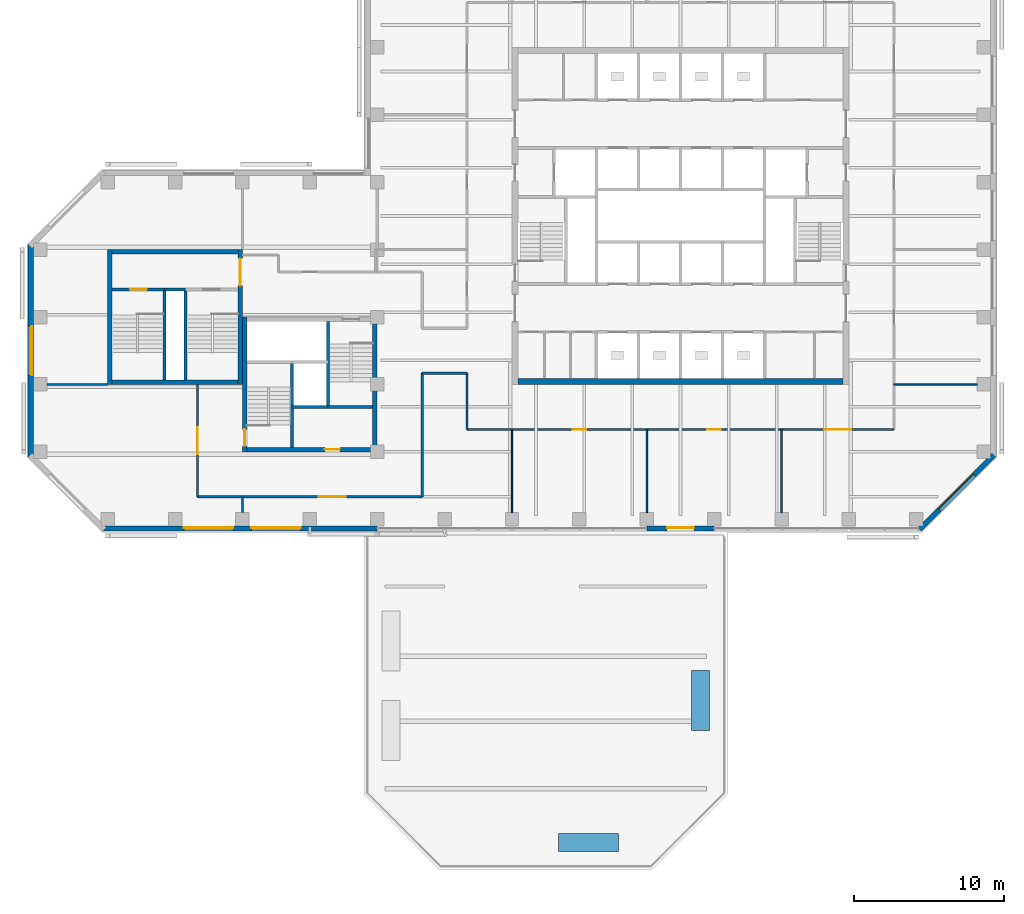
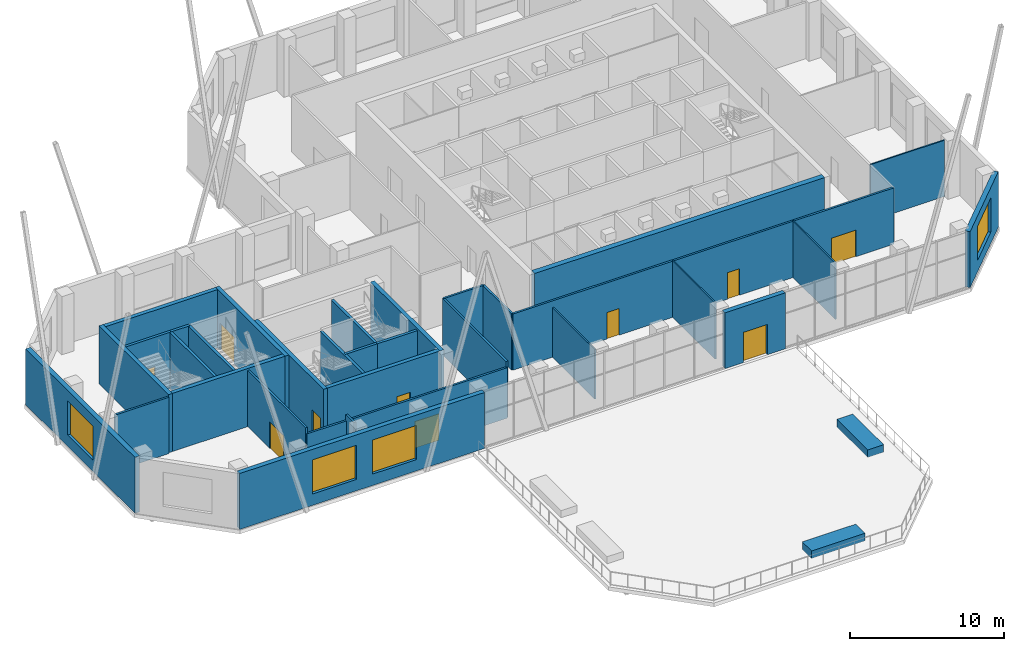
# One storey, part 7 of 14: 34 walls, 10 doors, 4 windows, 14 openings.
"""IFC4 building model written with IfcOpenShell, lengths in metres."""

from ifc_helpers import new_model, si_unit, direction, frame, frame_2d, origin, place, context, subcontext, project, spatial, rectangle, extrude, material, layer, layer_set, constituent, constituent_set, type_object, element, fill, save


model = new_model("IFC4")

# Units and contexts
model_context = context("Model", 3, precision=1e-05, world=origin(), true_north=direction((0.0, 1.0)))
body_context = subcontext(model_context, "Body", "Model", "MODEL_VIEW")
ifc_project = project(units=[si_unit("LENGTHUNIT", "METRE"), si_unit("AREAUNIT", "SQUARE_METRE"), si_unit("VOLUMEUNIT", "CUBIC_METRE"), si_unit("PLANEANGLEUNIT", "RADIAN"), si_unit("MASSUNIT", "GRAM", prefix="KILO")], contexts=[model_context])

# Site, building, storey
site_placement = place(None, origin())
site = spatial("IfcSite", under=ifc_project, at=site_placement, CompositionType="ELEMENT")
building_placement = place(site_placement, origin())
building = spatial("IfcBuilding", under=site, at=building_placement, Name="Quoin Convention Tower", CompositionType="ELEMENT")
storey_placement = place(building_placement, frame((0.0, 0.0, 143.10009765625)))
storey = spatial("IfcBuildingStorey", under=building, at=storey_placement, Name="L37", CompositionType="ELEMENT", Elevation=143.10009765625)

# Wall, opening, door
ifc_material_1 = material(Name="Brick masonry", Category="masonry")
ifc_layer_1 = layer(ifc_material_1, 0.35009765625)
ifc_layer_set_1 = layer_set([ifc_layer_1], Name="Brick masonry")
wall_type_1 = type_object("IfcWallType", Name="Brick facade wall", PredefinedType="STANDARD", material=ifc_layer_set_1)
wall_1_placement = place(storey_placement, frame((54.0, 39.875, 0.0), z_axis=(0.0, 0.0, 1.0), x_axis=(1.0, 0.0, 0.0)))
wall_1 = element("IfcWall", 1, at=wall_1_placement, inside=storey, type_object=wall_type_1, Name="fw-L37-54000_39875", PredefinedType="STANDARD", context=body_context, shape_type="SweptSolid", body=[
    extrude(rectangle(XDim=4.5, YDim=0.35009765625, at=frame_2d((2.25, 0.0))), origin(), (0.0, 0.0, 1.0), 4.4248046875),
])
opening_1_placement = place(wall_1_placement, frame((1.35009765625, 0.0, 0.0)))
opening_1 = element("IfcOpeningElement", 2, at=opening_1_placement, cuts=wall_1, Name="Opening D-T1", PredefinedType="OPENING", context=body_context, shape_type="SweptSolid", body=[
    extrude(rectangle(XDim=1.800048828125, YDim=2.39990234375, at=frame_2d((0.89990234375, 1.199951171875))), frame((0.0, 0.18505859375, 0.0), z_axis=(0.0, -1.0, 0.0), x_axis=(1.0, 0.0, 0.0)), (0.0, 0.0, 1.0), 0.3701171875),
])
ifc_material_2 = material(Name="Aluminium", Category="aluminium")
ifc_constituent_1 = constituent(ifc_material_2, Name="Frame")
ifc_material_3 = material(Name="Insulated glass", Category="glass")
ifc_constituent_2 = constituent(ifc_material_3, Name="Glazing")
ifc_constituent_set_1 = constituent_set(constituents=[ifc_constituent_1, ifc_constituent_2], Name="Aluminium")
door_type_1 = type_object("IfcDoorType", Name="Glazed terrace door", OperationType="DOUBLE_DOOR_SINGLE_SWING", PredefinedType="DOOR", material=ifc_constituent_set_1)
door_1_placement = place(opening_1_placement, origin())
door_1 = element("IfcDoor", 3, at=door_1_placement, inside=storey, type_object=door_type_1, Name="dr-L37-54000_39875", OperationType="DOUBLE_DOOR_SINGLE_SWING", OverallHeight=2.39990234375, OverallWidth=1.800048828125, PredefinedType="DOOR", context=body_context, shape_type="SweptSolid", body=[
    extrude(rectangle(XDim=1.800048828125, YDim=2.39990234375, at=frame_2d((0.89990234375, 1.199951171875))), frame((0.0, 0.080078125, 0.0), z_axis=(0.0, -1.0, 0.0), x_axis=(1.0, 0.0, 0.0)), (0.0, 0.0, 1.0), 0.050048828125),
])
fill(opening_1, door_1)

# Wall, opening, window
wall_2_placement = place(storey_placement, frame((72.20751953125, 39.82373046875, 0.0), z_axis=(0.0, 0.0, 1.0), x_axis=(0.707106781187, 0.707106781187, 0.0)))
wall_2 = element("IfcWall", 4, at=wall_2_placement, inside=storey, type_object=wall_type_1, Name="fw-L37-72000_40500", PredefinedType="STANDARD", context=body_context, shape_type="SweptSolid", body=[
    extrude(rectangle(XDim=7.02685546875, YDim=0.35009765625, at=frame_2d((3.513427734375, 0.0))), origin(), (0.0, 0.0, 1.0), 4.4248046875),
])
opening_2_placement = place(wall_2_placement, frame((1.86328125, 0.0, 0.89990234375)))
opening_2 = element("IfcOpeningElement", 5, at=opening_2_placement, cuts=wall_2, Name="Opening W-03", PredefinedType="OPENING", context=body_context, shape_type="SweptSolid", body=[
    extrude(rectangle(XDim=3.300048828125, YDim=2.699951171875, at=frame_2d((1.64990234375, 1.35009765625))), frame((0.0, 0.18505859375, 0.0), z_axis=(0.0, -1.0, 0.0), x_axis=(1.0, 0.0, 0.0)), (0.0, 0.0, 1.0), 0.3701171875),
])
ifc_constituent_3 = constituent(ifc_material_2, Name="Frame")
ifc_constituent_4 = constituent(ifc_material_3, Name="Glazing")
ifc_constituent_set_2 = constituent_set(constituents=[ifc_constituent_3, ifc_constituent_4], Name="Aluminium")
window_type = type_object("IfcWindowType", Name="Sky lobby window", PartitioningType="DOUBLE_PANEL_VERTICAL", PredefinedType="WINDOW", material=ifc_constituent_set_2)
window_1_placement = place(opening_2_placement, origin())
window_1 = element("IfcWindow", 6, at=window_1_placement, inside=storey, type_object=window_type, Name="win-L37-74692_42308", OverallHeight=2.699951171875, OverallWidth=3.300048828125, PartitioningType="SINGLE_PANEL", PredefinedType="WINDOW", context=body_context, shape_type="SweptSolid", body=[
    extrude(rectangle(XDim=3.300048828125, YDim=2.699951171875, at=frame_2d((1.64990234375, 1.35009765625))), frame((0.0, 0.0849609375, 0.0), z_axis=(0.0, -1.0, 0.0), x_axis=(1.0, 0.0, 0.0)), (0.0, 0.0, 1.0), 0.06005859375),
])
fill(opening_2, window_1)

wall_3_placement = place(storey_placement, frame((12.875, 58.831298828125, 0.0), z_axis=(0.0, 0.0, 1.0), x_axis=(0.0, -1.0, 0.0)))
wall_3 = element("IfcWall", 7, at=wall_3_placement, inside=storey, type_object=wall_type_1, Name="fw-L37-13500_58500", PredefinedType="STANDARD", context=body_context, shape_type="SweptSolid", body=[
    extrude(rectangle(XDim=14.16259765625, YDim=0.35009765625, at=frame_2d((7.081298828125, 0.0))), origin(), (0.0, 0.0, 1.0), 4.4248046875),
])
opening_3_placement = place(wall_3_placement, frame((5.431396484375, 0.0, 0.89990234375)))
opening_3 = element("IfcOpeningElement", 8, at=opening_3_placement, cuts=wall_3, Name="Opening W-03", PredefinedType="OPENING", context=body_context, shape_type="SweptSolid", body=[
    extrude(rectangle(XDim=3.300048828125, YDim=2.699951171875, at=frame_2d((1.64990234375, 1.35009765625))), frame((0.0, 0.18505859375, 0.0), z_axis=(0.0, -1.0, 0.0), x_axis=(1.0, 0.0, 0.0)), (0.0, 0.0, 1.0), 0.3701171875),
])
window_2_placement = place(opening_3_placement, origin())
window_2 = element("IfcWindow", 9, at=window_2_placement, inside=storey, type_object=window_type, Name="win-L37-12875_51750", OverallHeight=2.699951171875, OverallWidth=3.300048828125, PartitioningType="SINGLE_PANEL", PredefinedType="WINDOW", context=body_context, shape_type="SweptSolid", body=[
    extrude(rectangle(XDim=3.300048828125, YDim=2.699951171875, at=frame_2d((1.64990234375, 1.35009765625))), frame((0.0, 0.0849609375, 0.0), z_axis=(0.0, -1.0, 0.0), x_axis=(1.0, 0.0, 0.0)), (0.0, 0.0, 1.0), 0.06005859375),
])
fill(opening_3, window_2)

# Wall, openings, windows
wall_4_placement = place(storey_placement, frame((17.668701171875, 39.875, 0.0), z_axis=(0.0, 0.0, 1.0), x_axis=(1.0, 0.0, 0.0)))
wall_4 = element("IfcWall", 10, at=wall_4_placement, inside=storey, type_object=wall_type_1, Name="fw-L37-18000_40500", PredefinedType="STANDARD", context=body_context, shape_type="SweptSolid", body=[
    extrude(rectangle(XDim=18.331298828125, YDim=0.35009765625, at=frame_2d((9.16552734375, 0.0))), origin(), (0.0, 0.0, 1.0), 4.4248046875),
])
opening_4_placement = place(wall_4_placement, frame((5.431396484375, 0.0, 0.89990234375)))
opening_4 = element("IfcOpeningElement", 11, at=opening_4_placement, cuts=wall_4, Name="Opening W-03", PredefinedType="OPENING", context=body_context, shape_type="SweptSolid", body=[
    extrude(rectangle(XDim=3.300048828125, YDim=2.699951171875, at=frame_2d((1.64990234375, 1.35009765625))), frame((0.0, 0.18505859375, 0.0), z_axis=(0.0, -1.0, 0.0), x_axis=(1.0, 0.0, 0.0)), (0.0, 0.0, 1.0), 0.3701171875),
])
opening_5_placement = place(wall_4_placement, frame((9.931396484375, 0.0, 0.89990234375)))
opening_5 = element("IfcOpeningElement", 12, at=opening_5_placement, cuts=wall_4, Name="Opening W-03", PredefinedType="OPENING", context=body_context, shape_type="SweptSolid", body=[
    extrude(rectangle(XDim=3.300048828125, YDim=2.699951171875, at=frame_2d((1.64990234375, 1.35009765625))), frame((0.0, 0.18505859375, 0.0), z_axis=(0.0, -1.0, 0.0), x_axis=(1.0, 0.0, 0.0)), (0.0, 0.0, 1.0), 0.3701171875),
])
window_3_placement = place(opening_4_placement, origin())
window_3 = element("IfcWindow", 13, at=window_3_placement, inside=storey, type_object=window_type, Name="win-L37-24750_39875", OverallHeight=2.699951171875, OverallWidth=3.300048828125, PartitioningType="SINGLE_PANEL", PredefinedType="WINDOW", context=body_context, shape_type="SweptSolid", body=[
    extrude(rectangle(XDim=3.300048828125, YDim=2.699951171875, at=frame_2d((1.64990234375, 1.35009765625))), frame((0.0, 0.0849609375, 0.0), z_axis=(0.0, -1.0, 0.0), x_axis=(1.0, 0.0, 0.0)), (0.0, 0.0, 1.0), 0.06005859375),
])
fill(opening_4, window_3)
window_4_placement = place(opening_5_placement, origin())
window_4 = element("IfcWindow", 14, at=window_4_placement, inside=storey, type_object=window_type, Name="win-L37-29250_39875", OverallHeight=2.699951171875, OverallWidth=3.300048828125, PartitioningType="SINGLE_PANEL", PredefinedType="WINDOW", context=body_context, shape_type="SweptSolid", body=[
    extrude(rectangle(XDim=3.300048828125, YDim=2.699951171875, at=frame_2d((1.64990234375, 1.35009765625))), frame((0.0, 0.0849609375, 0.0), z_axis=(0.0, -1.0, 0.0), x_axis=(1.0, 0.0, 0.0)), (0.0, 0.0, 1.0), 0.06005859375),
])
fill(opening_5, window_4)

# Walls
ifc_material_4 = material(Name="Concrete C50", Category="concrete")
ifc_layer_2 = layer(ifc_material_4, 0.199951171875)
ifc_layer_set_2 = layer_set([ifc_layer_2], Name="Concrete C50")
wall_type_2 = type_object("IfcWallType", Name="Core shaft wall", PredefinedType="SOLIDWALL", material=ifc_layer_set_2)
wall_5_placement = place(storey_placement, frame((30.300048828125, 48.0, 0.0), z_axis=(0.0, 0.0, 1.0), x_axis=(1.0, 0.0, 0.0)))
element("IfcWall", 15, at=wall_5_placement, inside=storey, type_object=wall_type_2, Name="cr-P2-L37-h3000_3300", PredefinedType="SOLIDWALL", context=body_context, shape_type="SweptSolid", body=[
    extrude(rectangle(XDim=2.39990234375, YDim=0.199951171875, at=frame_2d((1.199951171875, 0.0))), origin(), (0.0, 0.0, 1.0), 4.449951171875),
])
wall_6_placement = place(storey_placement, frame((32.699951171875, 48.0, 0.0), z_axis=(0.0, 0.0, 1.0), x_axis=(1.0, 0.0, 0.0)))
element("IfcWall", 16, at=wall_6_placement, inside=storey, type_object=wall_type_2, Name="cr-P2-L37-h3000_5700", PredefinedType="SOLIDWALL", context=body_context, shape_type="SweptSolid", body=[
    extrude(rectangle(XDim=3.0, YDim=0.199951171875, at=frame_2d((1.5, 0.0))), origin(), (0.0, 0.0, 1.0), 4.449951171875),
])
for number, where, z_axis, x_axis, name in (
    (17, (30.300048828125, 45.300048828125, 0.0), (0.0, 0.0, 1.0), (0.0, 1.0, 0.0), "cr-P2-L37-v3300_300"),
    (18, (32.699951171875, 48.0, 0.0), (0.0, 0.0, 1.0), (0.0, 1.0, 0.0), "cr-P2-L37-v5700_3000"),
):
    element("IfcWall", number, at=place(storey_placement, frame(where, z_axis=z_axis, x_axis=x_axis)), inside=storey, type_object=wall_type_2, Name=name, PredefinedType="SOLIDWALL", context=body_context, shape_type="SweptSolid", body=[
        extrude(rectangle(XDim=5.699951171875, YDim=0.199951171875, at=frame_2d((2.85009765625, 0.0))), origin(), (0.0, 0.0, 1.0), 4.449951171875),
    ])
wall_7_placement = place(storey_placement, frame((21.800048828125, 55.85009765625, 0.0), z_axis=(0.0, 0.0, 1.0), x_axis=(1.0, 0.0, 0.0)))
element("IfcWall", 19, at=wall_7_placement, inside=storey, type_object=wall_type_2, Name="cr-P6-L37-h6350_3800", PredefinedType="SOLIDWALL", context=body_context, shape_type="SweptSolid", body=[
    extrude(rectangle(XDim=1.39990234375, YDim=0.199951171875, at=frame_2d((0.699951171875, 0.0))), origin(), (0.0, 0.0, 1.0), 4.449951171875),
])

# Wall, opening, door
wall_8_placement = place(storey_placement, frame((18.300048828125, 55.85009765625, 0.0), z_axis=(0.0, 0.0, 1.0), x_axis=(1.0, 0.0, 0.0)))
wall_8 = element("IfcWall", 20, at=wall_8_placement, inside=storey, type_object=wall_type_2, Name="cr-P6-L37-h6350_300", PredefinedType="SOLIDWALL", context=body_context, shape_type="SweptSolid", body=[
    extrude(rectangle(XDim=3.5, YDim=0.199951171875, at=frame_2d((1.75, 0.0))), origin(), (0.0, 0.0, 1.0), 4.449951171875),
])
opening_6_placement = place(wall_8_placement, frame((1.199951171875, 0.0, 0.0)))
opening_6 = element("IfcOpeningElement", 21, at=opening_6_placement, cuts=wall_8, Name="Opening SD11", PredefinedType="OPENING", context=body_context, shape_type="SweptSolid", body=[
    extrude(rectangle(XDim=1.10009765625, YDim=2.10009765625, at=frame_2d((0.550048828125, 1.050048828125))), frame((0.0, 0.10986328125, 0.0), z_axis=(0.0, -1.0, 0.0), x_axis=(1.0, 0.0, 0.0)), (0.0, 0.0, 1.0), 0.219970703125),
])
ifc_material_5 = material(Name="Steel door leaf", Category="steel")
door_type_2 = type_object("IfcDoorType", Name="Stair door 1100 x 2100", OperationType="SINGLE_SWING_RIGHT", PredefinedType="DOOR", material=ifc_material_5)
door_2_placement = place(opening_6_placement, origin())
door_2 = element("IfcDoor", 22, at=door_2_placement, inside=storey, type_object=door_type_2, Name="cd-P6-L37-SA-R2-SD11", OperationType="SINGLE_SWING_RIGHT", OverallHeight=2.10009765625, OverallWidth=1.10009765625, PredefinedType="DOOR", context=body_context, shape_type="SweptSolid", body=[
    extrude(rectangle(XDim=1.10009765625, YDim=2.10009765625, at=frame_2d((0.550048828125, 1.050048828125))), frame((0.0, 0.02490234375, 0.0), z_axis=(0.0, -1.0, 0.0), x_axis=(1.0, 0.0, 0.0)), (0.0, 0.0, 1.0), 0.050048828125),
])
fill(opening_6, door_2)

# Walls
for number, where, z_axis, x_axis, name in (
    (23, (21.800048828125, 49.800048828125, 0.0), (0.0, 0.0, 1.0), (0.0, 1.0, 0.0), "cr-P6-L37-v3800_300"),
    (24, (23.199951171875, 49.800048828125, 0.0), (0.0, 0.0, 1.0), (0.0, 1.0, 0.0), "cr-P6-L37-v5200_300"),
):
    element("IfcWall", number, at=place(storey_placement, frame(where, z_axis=z_axis, x_axis=x_axis)), inside=storey, type_object=wall_type_2, Name=name, PredefinedType="SOLIDWALL", context=body_context, shape_type="SweptSolid", body=[
        extrude(rectangle(XDim=6.050048828125, YDim=0.199951171875, at=frame_2d((3.02490234375, 0.0))), origin(), (0.0, 0.0, 1.0), 4.449951171875),
    ])
ifc_material_6 = material(Name="Concrete C40", Category="concrete")
ifc_layer_3 = layer(ifc_material_6, 1.199951171875)
ifc_layer_set_3 = layer_set([ifc_layer_3], Name="Concrete C40")
wall_type_3 = type_object("IfcWallType", Name="Planter bed", PredefinedType="STANDARD", material=ifc_layer_set_3)
for number, where, z_axis, x_axis, name in (
    (25, (57.574951171875, 30.389892578125, 0.0), (0.0, 0.0, 1.0), (0.0, -1.0, 0.0), "PLANTER L37 01"),
    (26, (52.116943359375, 18.925048828125, 0.0), (0.0, 0.0, 1.0), (-1.0, 0.0, 0.0), "PLANTER L37 02"),
):
    element("IfcWall", number, at=place(storey_placement, frame(where, z_axis=z_axis, x_axis=x_axis)), inside=storey, type_object=wall_type_3, Name=name, PredefinedType="STANDARD", context=body_context, shape_type="SweptSolid", body=[
        extrude(rectangle(XDim=4.0, YDim=1.199951171875, at=frame_2d((2.0, 0.0))), origin(), (0.0, 0.0, 1.0), 0.599853515625),
    ])

# Wall, opening, door
ifc_layer_4 = layer(ifc_material_4, 0.300048828125)
ifc_layer_set_4 = layer_set([ifc_layer_4], Name="Concrete C50")
wall_type_4 = type_object("IfcWallType", Name="RC CORE WALL 300 C50", PredefinedType="SHEAR", material=ifc_layer_set_4)
wall_9_placement = place(storey_placement, frame((27.300048828125, 45.14990234375, 0.0), z_axis=(0.0, 0.0, 1.0), x_axis=(1.0, 0.0, 0.0)))
wall_9 = element("IfcWall", 27, at=wall_9_placement, inside=storey, type_object=wall_type_4, Name="cwl-P2-L37-S", PredefinedType="SHEAR", context=body_context, shape_type="SweptSolid", body=[
    extrude(rectangle(XDim=8.39990234375, YDim=0.300048828125, at=frame_2d((4.199951171875, 0.0))), origin(), (0.0, 0.0, 1.0), 4.599853515625),
])
opening_7_placement = place(wall_9_placement, frame((5.199951171875, 0.0, 0.0)))
opening_7 = element("IfcOpeningElement", 28, at=opening_7_placement, cuts=wall_9, Name="Opening DCV1-50", PredefinedType="OPENING", context=body_context, shape_type="SweptSolid", body=[
    extrude(rectangle(XDim=1.0, YDim=2.10009765625, at=frame_2d((0.5, 1.050048828125))), frame((0.0, 0.159912109375, 0.0), z_axis=(0.0, -1.0, 0.0), x_axis=(1.0, 0.0, 0.0)), (0.0, 0.0, 1.0), 0.320068359375),
])
door_type_3 = type_object("IfcDoorType", Name="Service door 1000 x 2100", OperationType="SINGLE_SWING_LEFT", PredefinedType="DOOR", material=ifc_material_5)
door_3_placement = place(opening_7_placement, origin())
door_3 = element("IfcDoor", 29, at=door_3_placement, inside=storey, type_object=door_type_3, Name="cd-P2-L37-R2-S", OperationType="SINGLE_SWING_LEFT", OverallHeight=2.10009765625, OverallWidth=1.0, PredefinedType="DOOR", context=body_context, shape_type="SweptSolid", body=[
    extrude(rectangle(XDim=1.0, YDim=2.10009765625, at=frame_2d((0.5, 1.050048828125))), frame((0.0, 0.02490234375, 0.0), z_axis=(0.0, -1.0, 0.0), x_axis=(1.0, 0.0, 0.0)), (0.0, 0.0, 1.0), 0.050048828125),
])
fill(opening_7, door_3)

wall_10_placement = place(storey_placement, frame((27.14990234375, 45.0, 0.0), z_axis=(0.0, 0.0, 1.0), x_axis=(0.0, 1.0, 0.0)))
wall_10 = element("IfcWall", 30, at=wall_10_placement, inside=storey, type_object=wall_type_4, Name="cwl-P2-L37-W", PredefinedType="SHEAR", context=body_context, shape_type="SweptSolid", body=[
    extrude(rectangle(XDim=9.0, YDim=0.300048828125, at=frame_2d((4.5, 0.0))), origin(), (0.0, 0.0, 1.0), 4.599853515625),
])
opening_8_placement = place(wall_10_placement, frame((0.39990234375, 0.0, 0.0)))
opening_8 = element("IfcOpeningElement", 31, at=opening_8_placement, cuts=wall_10, Name="Opening SD3", PredefinedType="OPENING", context=body_context, shape_type="SweptSolid", body=[
    extrude(rectangle(XDim=1.10009765625, YDim=2.10009765625, at=frame_2d((0.550048828125, 1.050048828125))), frame((0.0, 0.159912109375, 0.0), z_axis=(0.0, -1.0, 0.0), x_axis=(1.0, 0.0, 0.0)), (0.0, 0.0, 1.0), 0.320068359375),
])
door_4_placement = place(opening_8_placement, frame((1.10009765625, 0.0, 0.0), z_axis=(0.0, 0.0, 1.0), x_axis=(-1.0, 0.0, 0.0)))
door_4 = element("IfcDoor", 32, at=door_4_placement, inside=storey, type_object=door_type_2, Name="cd-P2-L37-SA-W", OperationType="SINGLE_SWING_RIGHT", OverallHeight=2.10009765625, OverallWidth=1.10009765625, PredefinedType="DOOR", context=body_context, shape_type="SweptSolid", body=[
    extrude(rectangle(XDim=1.10009765625, YDim=2.10009765625, at=frame_2d((0.550048828125, 1.050048828125))), frame((0.0, 0.02490234375, 0.0), z_axis=(0.0, -1.0, 0.0), x_axis=(1.0, 0.0, 0.0)), (0.0, 0.0, 1.0), 0.050048828125),
])
fill(opening_8, door_4)

# Walls
wall_11_placement = place(storey_placement, frame((35.85009765625, 45.0, 0.0), z_axis=(0.0, 0.0, 1.0), x_axis=(0.0, 1.0, 0.0)))
element("IfcWall", 33, at=wall_11_placement, inside=storey, type_object=wall_type_4, Name="cwl-P2-L37-E", PredefinedType="SHEAR", context=body_context, shape_type="SweptSolid", body=[
    extrude(rectangle(XDim=9.0, YDim=0.300048828125, at=frame_2d((4.5, 0.0))), origin(), (0.0, 0.0, 1.0), 4.599853515625),
])
for number, where, z_axis, x_axis, name in (
    (34, (18.300048828125, 49.64990234375, 0.0), (0.0, 0.0, 1.0), (1.0, 0.0, 0.0), "cwl-P6-L37-S"),
    (35, (18.300048828125, 58.35009765625, 0.0), (0.0, 0.0, 1.0), (1.0, 0.0, 0.0), "cwl-P6-L37-N"),
):
    element("IfcWall", number, at=place(storey_placement, frame(where, z_axis=z_axis, x_axis=x_axis)), inside=storey, type_object=wall_type_4, Name=name, PredefinedType="SHEAR", context=body_context, shape_type="SweptSolid", body=[
        extrude(rectangle(XDim=8.39990234375, YDim=0.300048828125, at=frame_2d((4.199951171875, 0.0))), origin(), (0.0, 0.0, 1.0), 4.599853515625),
    ])
wall_12_placement = place(storey_placement, frame((18.14990234375, 49.5, 0.0), z_axis=(0.0, 0.0, 1.0), x_axis=(0.0, 1.0, 0.0)))
element("IfcWall", 36, at=wall_12_placement, inside=storey, type_object=wall_type_4, Name="cwl-P6-L37-W", PredefinedType="SHEAR", context=body_context, shape_type="SweptSolid", body=[
    extrude(rectangle(XDim=9.0, YDim=0.300048828125, at=frame_2d((4.5, 0.0))), origin(), (0.0, 0.0, 1.0), 4.599853515625),
])

# Wall, opening, door
wall_13_placement = place(storey_placement, frame((26.85009765625, 49.5, 0.0), z_axis=(0.0, 0.0, 1.0), x_axis=(0.0, 1.0, 0.0)))
wall_13 = element("IfcWall", 37, at=wall_13_placement, inside=storey, type_object=wall_type_4, Name="cwl-P6-L37-E", PredefinedType="SHEAR", context=body_context, shape_type="SweptSolid", body=[
    extrude(rectangle(XDim=9.0, YDim=0.300048828125, at=frame_2d((4.5, 0.0))), origin(), (0.0, 0.0, 1.0), 4.599853515625),
])
opening_9_placement = place(wall_13_placement, frame((6.60009765625, 0.0, 0.0)))
opening_9 = element("IfcOpeningElement", 38, at=opening_9_placement, cuts=wall_13, Name="Opening DCV1-54", PredefinedType="OPENING", context=body_context, shape_type="SweptSolid", body=[
    extrude(rectangle(XDim=1.800048828125, YDim=2.10009765625, at=frame_2d((0.89990234375, 1.050048828125))), frame((0.0, 0.159912109375, 0.0), z_axis=(0.0, -1.0, 0.0), x_axis=(1.0, 0.0, 0.0)), (0.0, 0.0, 1.0), 0.320068359375),
])
door_type_4 = type_object("IfcDoorType", Name="Goods lobby door 1800 x 2100", OperationType="SINGLE_SWING_LEFT", PredefinedType="DOOR", material=ifc_material_5)
door_5_placement = place(opening_9_placement, origin())
door_5 = element("IfcDoor", 39, at=door_5_placement, inside=storey, type_object=door_type_4, Name="cd-P6-L37-R2-E", OperationType="SINGLE_SWING_LEFT", OverallHeight=2.10009765625, OverallWidth=1.800048828125, PredefinedType="DOOR", context=body_context, shape_type="SweptSolid", body=[
    extrude(rectangle(XDim=1.800048828125, YDim=2.10009765625, at=frame_2d((0.89990234375, 1.050048828125))), frame((0.0, 0.02490234375, 0.0), z_axis=(0.0, -1.0, 0.0), x_axis=(1.0, 0.0, 0.0)), (0.0, 0.0, 1.0), 0.050048828125),
])
fill(opening_9, door_5)

# Walls
ifc_layer_5 = layer(ifc_material_4, 0.39990234375)
ifc_layer_set_5 = layer_set([ifc_layer_5], Name="Concrete C50")
wall_type_5 = type_object("IfcWallType", Name="RC CORE WALL 400 C50", PredefinedType="SHEAR", material=ifc_layer_set_5)
wall_14_placement = place(storey_placement, frame((45.39990234375, 49.699951171875, 0.0), z_axis=(0.0, 0.0, 1.0), x_axis=(1.0, 0.0, 0.0)))
element("IfcWall", 40, at=wall_14_placement, inside=storey, type_object=wall_type_5, Name="cwl-C1-L37-S", PredefinedType="SHEAR", context=body_context, shape_type="SweptSolid", body=[
    extrude(rectangle(XDim=21.7001953125, YDim=0.39990234375, at=frame_2d((10.85009765625, 0.0))), origin(), (0.0, 0.0, 1.0), 4.599853515625),
])
ifc_material_7 = material(Name="Plasterboard")
ifc_layer_6 = layer(ifc_material_7, 0.012451171875, Name="Finish")
ifc_material_8 = material(Name="Steel stud framing", Category="steel")
ifc_layer_7 = layer(ifc_material_8, 0.074951171875, Name="Structure")
ifc_layer_8 = layer(ifc_material_7, 0.012451171875, Name="Finish")
ifc_layer_set_6 = layer_set([ifc_layer_6, ifc_layer_7, ifc_layer_8], Name="Steel stud framing")
wall_type_6 = type_object("IfcWallType", Name="bathroom partition", PredefinedType="PARTITIONING", material=ifc_layer_set_6)
for number, where, z_axis, x_axis, name in (
    (41, (54.0, 40.949951171875, 0.0), (0.0, 0.0, 1.0), (0.0, 1.0, 0.0), "pw-L37-002"),
    (42, (63.0, 40.949951171875, 0.0), (0.0, 0.0, 1.0), (0.0, 1.0, 0.0), "pw-L37-003"),
    (43, (70.5, 49.5, 0.0), (0.0, 0.0, 1.0), (1.0, 0.0, 0.0), "pw-L37-004"),
):
    element("IfcWall", number, at=place(storey_placement, frame(where, z_axis=z_axis, x_axis=x_axis)), inside=storey, type_object=wall_type_6, Name=name, PredefinedType="PARTITIONING", context=body_context, shape_type="SweptSolid", body=[
        extrude(rectangle(XDim=5.550048828125, YDim=0.10009765625, at=frame_2d((2.77490234375, 0.0))), origin(), (0.0, 0.0, 1.0), 4.449951171875),
    ])
ifc_layer_9 = layer(ifc_material_7, 0.012451171875, Name="Finish")
ifc_layer_10 = layer(ifc_material_8, 0.074951171875, Name="Structure")
ifc_layer_11 = layer(ifc_material_7, 0.012451171875, Name="Finish")
ifc_layer_set_7 = layer_set([ifc_layer_9, ifc_layer_10, ifc_layer_11], Name="Steel stud framing")
wall_type_7 = type_object("IfcWallType", Name="bathroom partition under beam 528", PredefinedType="PARTITIONING", material=ifc_layer_set_7)
wall_15_placement = place(storey_placement, frame((45.0, 40.949951171875, 0.0), z_axis=(0.0, 0.0, 1.0), x_axis=(0.0, 1.0, 0.0)))
element("IfcWall", 44, at=wall_15_placement, inside=storey, type_object=wall_type_7, Name="pw-L37-001", PredefinedType="PARTITIONING", context=body_context, shape_type="SweptSolid", body=[
    extrude(rectangle(XDim=5.550048828125, YDim=0.10009765625, at=frame_2d((2.77490234375, 0.0))), origin(), (0.0, 0.0, 1.0), 3.921875),
])

# Wall, opening, door
ifc_layer_12 = layer(ifc_material_7, 0.012451171875, Name="Finish")
ifc_layer_13 = layer(ifc_material_8, 0.125, Name="Structure")
ifc_layer_14 = layer(ifc_material_7, 0.012451171875, Name="Finish")
ifc_layer_set_8 = layer_set([ifc_layer_12, ifc_layer_13, ifc_layer_14], Name="Steel stud framing")
wall_type_8 = type_object("IfcWallType", Name="corridor partition", PredefinedType="PARTITIONING", material=ifc_layer_set_8)
wall_16_placement = place(storey_placement, frame((24.0, 42.0, 0.0), z_axis=(0.0, 0.0, 1.0), x_axis=(0.0, 1.0, 0.0)))
wall_16 = element("IfcWall", 45, at=wall_16_placement, inside=storey, type_object=wall_type_8, Name="pw-L37-009", PredefinedType="PARTITIONING", context=body_context, shape_type="SweptSolid", body=[
    extrude(rectangle(XDim=7.5, YDim=0.14990234375, at=frame_2d((3.75, 0.0))), origin(), (0.0, 0.0, 1.0), 4.449951171875),
])
opening_10_placement = place(wall_16_placement, frame((2.85009765625, 0.0, 0.0)))
opening_10 = element("IfcOpeningElement", 46, at=opening_10_placement, cuts=wall_16, Name="Opening DSKY-37-02", PredefinedType="OPENING", context=body_context, shape_type="SweptSolid", body=[
    extrude(rectangle(XDim=1.800048828125, YDim=2.10009765625, at=frame_2d((0.89990234375, 1.050048828125))), frame((0.0, 0.0849609375, 0.0), z_axis=(0.0, -1.0, 0.0), x_axis=(1.0, 0.0, 0.0)), (0.0, 0.0, 1.0), 0.169921875),
])
door_type_5 = type_object("IfcDoorType", Name="Double meeting room door", OperationType="DOUBLE_DOOR_SINGLE_SWING", PredefinedType="DOOR", material=ifc_material_5)
door_6_placement = place(opening_10_placement, frame((1.800048828125, 0.0, 0.0), z_axis=(0.0, 0.0, 1.0), x_axis=(-1.0, 0.0, 0.0)))
door_6 = element("IfcDoor", 47, at=door_6_placement, inside=storey, type_object=door_type_5, Name="dr-L37-005", OperationType="DOUBLE_DOOR_SINGLE_SWING", OverallHeight=2.10009765625, OverallWidth=1.800048828125, PredefinedType="DOOR", context=body_context, shape_type="SweptSolid", body=[
    extrude(rectangle(XDim=1.800048828125, YDim=2.10009765625, at=frame_2d((0.89990234375, 1.050048828125))), frame((0.0, 0.02490234375, 0.0), z_axis=(0.0, -1.0, 0.0), x_axis=(1.0, 0.0, 0.0)), (0.0, 0.0, 1.0), 0.050048828125),
])
fill(opening_10, door_6)

# Wall
wall_17_placement = place(storey_placement, frame((39.0, 42.0, 0.0), z_axis=(0.0, 0.0, 1.0), x_axis=(0.0, 1.0, 0.0)))
element("IfcWall", 48, at=wall_17_placement, inside=storey, type_object=wall_type_8, Name="pw-L37-010", PredefinedType="PARTITIONING", context=body_context, shape_type="SweptSolid", body=[
    extrude(rectangle(XDim=8.25, YDim=0.14990234375, at=frame_2d((4.125, 0.0))), origin(), (0.0, 0.0, 1.0), 4.449951171875),
])

# Wall, openings, doors
wall_18_placement = place(storey_placement, frame((42.0, 46.5, 0.0), z_axis=(0.0, 0.0, 1.0), x_axis=(1.0, 0.0, 0.0)))
wall_18 = element("IfcWall", 49, at=wall_18_placement, inside=storey, type_object=wall_type_8, Name="pw-L37-011", PredefinedType="PARTITIONING", context=body_context, shape_type="SweptSolid", body=[
    extrude(rectangle(XDim=28.5, YDim=0.14990234375, at=frame_2d((14.25, 0.0))), origin(), (0.0, 0.0, 1.0), 4.449951171875),
])
opening_11_placement = place(wall_18_placement, frame((7.050048828125, 0.0, 0.0)))
opening_11 = element("IfcOpeningElement", 50, at=opening_11_placement, cuts=wall_18, Name="Opening DSKY-37-03", PredefinedType="OPENING", context=body_context, shape_type="SweptSolid", body=[
    extrude(rectangle(XDim=0.89990234375, YDim=2.10009765625, at=frame_2d((0.449951171875, 1.050048828125))), frame((0.0, 0.0849609375, 0.0), z_axis=(0.0, -1.0, 0.0), x_axis=(1.0, 0.0, 0.0)), (0.0, 0.0, 1.0), 0.169921875),
])
opening_12_placement = place(wall_18_placement, frame((16.050048828125, 0.0, 0.0)))
opening_12 = element("IfcOpeningElement", 51, at=opening_12_placement, cuts=wall_18, Name="Opening DSKY-37-04", PredefinedType="OPENING", context=body_context, shape_type="SweptSolid", body=[
    extrude(rectangle(XDim=0.89990234375, YDim=2.10009765625, at=frame_2d((0.449951171875, 1.050048828125))), frame((0.0, 0.0849609375, 0.0), z_axis=(0.0, -1.0, 0.0), x_axis=(1.0, 0.0, 0.0)), (0.0, 0.0, 1.0), 0.169921875),
])
opening_13_placement = place(wall_18_placement, frame((23.85009765625, 0.0, 0.0)))
opening_13 = element("IfcOpeningElement", 52, at=opening_13_placement, cuts=wall_18, Name="Opening DSKY-37-05", PredefinedType="OPENING", context=body_context, shape_type="SweptSolid", body=[
    extrude(rectangle(XDim=1.800048828125, YDim=2.10009765625, at=frame_2d((0.89990234375, 1.050048828125))), frame((0.0, 0.0849609375, 0.0), z_axis=(0.0, -1.0, 0.0), x_axis=(1.0, 0.0, 0.0)), (0.0, 0.0, 1.0), 0.169921875),
])
door_7_placement = place(opening_13_placement, origin())
door_7 = element("IfcDoor", 53, at=door_7_placement, inside=storey, type_object=door_type_5, Name="dr-L37-004", OperationType="DOUBLE_DOOR_SINGLE_SWING", OverallHeight=2.10009765625, OverallWidth=1.800048828125, PredefinedType="DOOR", context=body_context, shape_type="SweptSolid", body=[
    extrude(rectangle(XDim=1.800048828125, YDim=2.10009765625, at=frame_2d((0.89990234375, 1.050048828125))), frame((0.0, 0.02490234375, 0.0), z_axis=(0.0, -1.0, 0.0), x_axis=(1.0, 0.0, 0.0)), (0.0, 0.0, 1.0), 0.050048828125),
])
fill(opening_13, door_7)
door_type_6 = type_object("IfcDoorType", Name="Toilet door", OperationType="SINGLE_SWING_LEFT", PredefinedType="DOOR", material=ifc_material_5)
door_8_placement = place(opening_11_placement, frame((0.89990234375, 0.0, 0.0), z_axis=(0.0, 0.0, 1.0), x_axis=(-1.0, 0.0, 0.0)))
door_8 = element("IfcDoor", 54, at=door_8_placement, inside=storey, type_object=door_type_6, Name="dr-L37-001", OperationType="SINGLE_SWING_LEFT", OverallHeight=2.10009765625, OverallWidth=0.89990234375, PredefinedType="DOOR", context=body_context, shape_type="SweptSolid", body=[
    extrude(rectangle(XDim=0.89990234375, YDim=2.10009765625, at=frame_2d((0.449951171875, 1.050048828125))), frame((0.0, 0.02490234375, 0.0), z_axis=(0.0, -1.0, 0.0), x_axis=(1.0, 0.0, 0.0)), (0.0, 0.0, 1.0), 0.050048828125),
])
fill(opening_11, door_8)
door_9_placement = place(opening_12_placement, frame((0.89990234375, 0.0, 0.0), z_axis=(0.0, 0.0, 1.0), x_axis=(-1.0, 0.0, 0.0)))
door_9 = element("IfcDoor", 55, at=door_9_placement, inside=storey, type_object=door_type_6, Name="dr-L37-002", OperationType="SINGLE_SWING_LEFT", OverallHeight=2.10009765625, OverallWidth=0.89990234375, PredefinedType="DOOR", context=body_context, shape_type="SweptSolid", body=[
    extrude(rectangle(XDim=0.89990234375, YDim=2.10009765625, at=frame_2d((0.449951171875, 1.050048828125))), frame((0.0, 0.02490234375, 0.0), z_axis=(0.0, -1.0, 0.0), x_axis=(1.0, 0.0, 0.0)), (0.0, 0.0, 1.0), 0.050048828125),
])
fill(opening_12, door_9)

# Walls
wall_19_placement = place(storey_placement, frame((42.0, 46.5, 0.0), z_axis=(0.0, 0.0, 1.0), x_axis=(0.0, 1.0, 0.0)))
element("IfcWall", 56, at=wall_19_placement, inside=storey, type_object=wall_type_8, Name="pw-L37-012", PredefinedType="PARTITIONING", context=body_context, shape_type="SweptSolid", body=[
    extrude(rectangle(XDim=3.75, YDim=0.14990234375, at=frame_2d((1.875, 0.0))), origin(), (0.0, 0.0, 1.0), 4.449951171875),
])
wall_20_placement = place(storey_placement, frame((39.0, 50.25, 0.0), z_axis=(0.0, 0.0, 1.0), x_axis=(1.0, 0.0, 0.0)))
element("IfcWall", 57, at=wall_20_placement, inside=storey, type_object=wall_type_8, Name="pw-L37-014", PredefinedType="PARTITIONING", context=body_context, shape_type="SweptSolid", body=[
    extrude(rectangle(XDim=3.0, YDim=0.14990234375, at=frame_2d((1.5, 0.0))), origin(), (0.0, 0.0, 1.0), 4.449951171875),
])

# Wall, opening, door
ifc_layer_15 = layer(ifc_material_7, 0.012451171875, Name="Finish")
ifc_layer_16 = layer(ifc_material_8, 0.125, Name="Structure")
ifc_layer_17 = layer(ifc_material_7, 0.012451171875, Name="Finish")
ifc_layer_set_9 = layer_set([ifc_layer_15, ifc_layer_16, ifc_layer_17], Name="Steel stud framing")
wall_type_9 = type_object("IfcWallType", Name="corridor partition under beam 454", PredefinedType="PARTITIONING", material=ifc_layer_set_9)
wall_21_placement = place(storey_placement, frame((24.0, 42.0, 0.0), z_axis=(0.0, 0.0, 1.0), x_axis=(1.0, 0.0, 0.0)))
wall_21 = element("IfcWall", 58, at=wall_21_placement, inside=storey, type_object=wall_type_9, Name="pw-L37-008", PredefinedType="PARTITIONING", context=body_context, shape_type="SweptSolid", body=[
    extrude(rectangle(XDim=15.0, YDim=0.14990234375, at=frame_2d((7.5, 0.0))), origin(), (0.0, 0.0, 1.0), 3.995849609375),
])
opening_14_placement = place(wall_21_placement, frame((8.10009765625, 0.0, 0.0)))
opening_14 = element("IfcOpeningElement", 59, at=opening_14_placement, cuts=wall_21, Name="Opening DSKY-37-01", PredefinedType="OPENING", context=body_context, shape_type="SweptSolid", body=[
    extrude(rectangle(XDim=1.800048828125, YDim=2.10009765625, at=frame_2d((0.89990234375, 1.050048828125))), frame((0.0, 0.0849609375, 0.0), z_axis=(0.0, -1.0, 0.0), x_axis=(1.0, 0.0, 0.0)), (0.0, 0.0, 1.0), 0.169921875),
])
door_10_placement = place(opening_14_placement, frame((1.800048828125, 0.0, 0.0), z_axis=(0.0, 0.0, 1.0), x_axis=(-1.0, 0.0, 0.0)))
door_10 = element("IfcDoor", 60, at=door_10_placement, inside=storey, type_object=door_type_5, Name="dr-L37-003", OperationType="DOUBLE_DOOR_SINGLE_SWING", OverallHeight=2.10009765625, OverallWidth=1.800048828125, PredefinedType="DOOR", context=body_context, shape_type="SweptSolid", body=[
    extrude(rectangle(XDim=1.800048828125, YDim=2.10009765625, at=frame_2d((0.89990234375, 1.050048828125))), frame((0.0, 0.02490234375, 0.0), z_axis=(0.0, -1.0, 0.0), x_axis=(1.0, 0.0, 0.0)), (0.0, 0.0, 1.0), 0.050048828125),
])
fill(opening_14, door_10)

# Walls
ifc_layer_18 = layer(ifc_material_7, 0.012451171875, Name="Finish")
ifc_layer_19 = layer(ifc_material_8, 0.125, Name="Structure")
ifc_layer_20 = layer(ifc_material_7, 0.012451171875, Name="Finish")
ifc_layer_set_10 = layer_set([ifc_layer_18, ifc_layer_19, ifc_layer_20], Name="Steel stud framing")
wall_type_10 = type_object("IfcWallType", Name="room partition", PredefinedType="PARTITIONING", material=ifc_layer_set_10)
wall_22_placement = place(storey_placement, frame((27.0, 40.949951171875, 0.0), z_axis=(0.0, 0.0, 1.0), x_axis=(0.0, 1.0, 0.0)))
element("IfcWall", 61, at=wall_22_placement, inside=storey, type_object=wall_type_10, Name="pw-L37-020", PredefinedType="PARTITIONING", context=body_context, shape_type="SweptSolid", body=[
    extrude(rectangle(XDim=1.050048828125, YDim=0.14990234375, at=frame_2d((0.52490234375, 0.0))), origin(), (0.0, 0.0, 1.0), 4.449951171875),
])
wall_23_placement = place(storey_placement, frame((13.949951171875, 49.5, 0.0), z_axis=(0.0, 0.0, 1.0), x_axis=(1.0, 0.0, 0.0)))
element("IfcWall", 62, at=wall_23_placement, inside=storey, type_object=wall_type_10, Name="pw-L37-021", PredefinedType="PARTITIONING", context=body_context, shape_type="SweptSolid", body=[
    extrude(rectangle(XDim=4.050048828125, YDim=0.14990234375, at=frame_2d((2.02490234375, 0.0))), origin(), (0.0, 0.0, 1.0), 4.449951171875),
])

save(model, "model.ifc")
